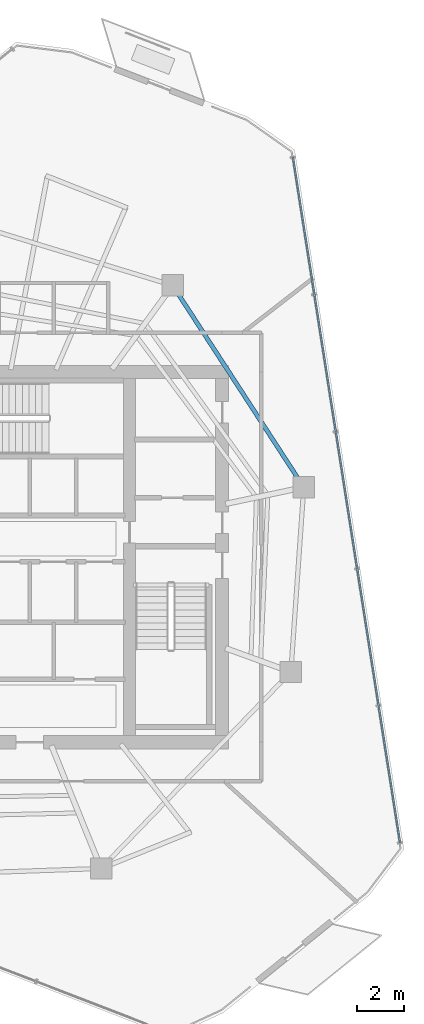
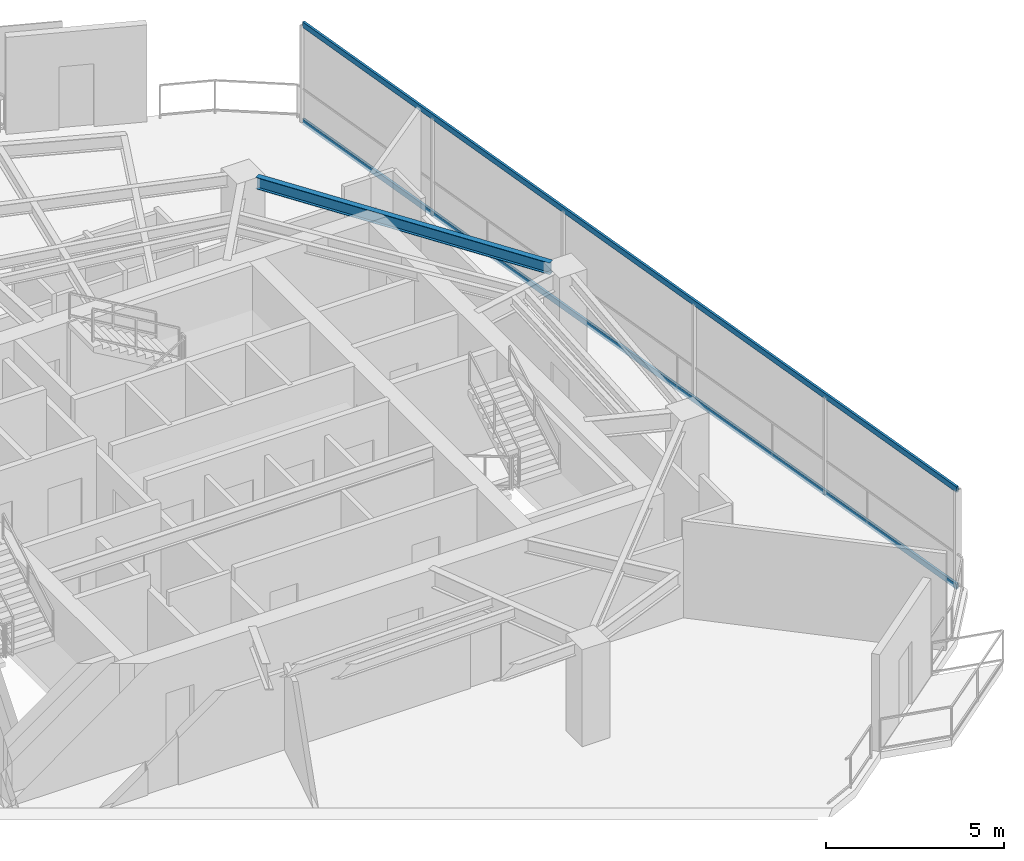
# One storey, part 10 of 19: 2 members, 1 beam, 1 element without a shape of its own.
"""IFC4 building model written with IfcOpenShell, lengths in metres."""

import ifcopenshell
import ifcopenshell.guid

model = None  # the IFC model being written
_history = None  # IfcOwnerHistory: only IFC2X3 demands one
_inside = {}  # id of a spatial element -> (the spatial element, [elements in it])
_under = {}  # id of a project, library or spatial element -> (it, [spatial elements below it])
_declared = {}  # id of a project -> (the project, [libraries it declares])
_typed = {}  # id of a type object -> (the type object, [elements of that type])
_made_of = {}  # id of a material, layer set ... -> (it, [elements and type objects made of it])


def new_model(schema):
    """Start an empty IFC model of exactly this schema.

    Asked for "IFC4X3", IfcOpenShell would pick the latest addendum, in which some entities
    have other attributes; the version numbers below select the first issue.
    IFC2X3 requires an IfcOwnerHistory on every rooted entity: one is made here for all.
    """
    global model, _history
    if schema == "IFC4X3":
        model = ifcopenshell.file(schema_version=(4, 3, 0, 0))
    else:
        model = ifcopenshell.file(schema=schema)
    _inside.clear()
    _under.clear()
    _declared.clear()
    _typed.clear()
    _made_of.clear()
    _history = None
    if model.schema == "IFC2X3":
        org = make("IfcOrganization", Name="unknown")
        user = make(
            "IfcPersonAndOrganization",
            ThePerson=make("IfcPerson", FamilyName="unknown"),
            TheOrganization=org,
        )
        app = make(
            "IfcApplication",
            ApplicationDeveloper=org,
            Version="unknown",
            ApplicationFullName="unknown",
            ApplicationIdentifier="unknown",
        )
        _history = make(
            "IfcOwnerHistory",
            OwningUser=user,
            OwningApplication=app,
            ChangeAction="ADDED",
            CreationDate=0,
        )
    return model


def make(cls, **values):
    """One entity of the class cls with the attributes given. An attribute that is None is left unset."""
    return model.create_entity(
        cls, **{name: value for name, value in values.items() if value is not None}
    )


def rooted(cls, **values):
    """An entity with a GlobalId (a new one), such as an element, a storey or a relation."""
    return make(cls, GlobalId=ifcopenshell.guid.new(), OwnerHistory=_history, **values)


def si_unit(unit_type, name, prefix=None):
    """IfcSIUnit, for example si_unit("LENGTHUNIT", "METRE", prefix="MILLI")."""
    return make("IfcSIUnit", UnitType=unit_type, Prefix=prefix, Name=name)


def assignment(units):
    """IfcUnitAssignment: the units of a project."""
    return None if units is None else make("IfcUnitAssignment", Units=units)


def point(xyz):
    """IfcCartesianPoint."""
    return None if xyz is None else make("IfcCartesianPoint", Coordinates=xyz)


def direction(xyz):
    """IfcDirection."""
    return None if xyz is None else make("IfcDirection", DirectionRatios=xyz)


def frame(location, z_axis=None, x_axis=None):
    """IfcAxis2Placement3D, a coordinate frame: its origin and axes. An axis left out is left unset."""
    return make(
        "IfcAxis2Placement3D",
        Location=point(location),
        Axis=direction(z_axis),
        RefDirection=direction(x_axis),
    )


def frame_2d(location, x_axis=None):
    """IfcAxis2Placement2D, a coordinate frame in the plane: its origin and x axis."""
    return make(
        "IfcAxis2Placement2D", Location=point(location), RefDirection=direction(x_axis)
    )


def origin():
    """The frame at (0, 0, 0) with its axes left unset."""
    return frame((0.0, 0.0, 0.0))


def origin_2d():
    """The frame at (0, 0) in the plane with its x axis left unset."""
    return frame_2d((0.0, 0.0))


def place(relative_to, where):
    """IfcLocalPlacement: puts the frame where relative to a parent placement (None: the world)."""
    return make(
        "IfcLocalPlacement", PlacementRelTo=relative_to, RelativePlacement=where
    )


def context(
    kind, dimensions, precision=None, world=None, true_north=None, identifier=None
):
    """IfcGeometricRepresentationContext, for example the 3D "Model" context."""
    return make(
        "IfcGeometricRepresentationContext",
        ContextIdentifier=identifier,
        ContextType=kind,
        CoordinateSpaceDimension=dimensions,
        Precision=precision,
        WorldCoordinateSystem=world,
        TrueNorth=true_north,
    )


def subcontext(parent, identifier, kind, view, scale=None):
    """IfcGeometricRepresentationSubContext, for example "Body" below "Model"."""
    return make(
        "IfcGeometricRepresentationSubContext",
        ContextIdentifier=identifier,
        ContextType=kind,
        ParentContext=parent,
        TargetScale=scale,
        TargetView=view,
    )


def project(units=None, contexts=None):
    """IfcProject with its units and contexts."""
    return rooted(
        "IfcProject",
        Name="project",
        RepresentationContexts=contexts,
        UnitsInContext=assignment(units),
    )


def spatial(cls, under=None, at=None, **own):
    """A site, building, storey or space (cls), placed at a placement, below another one or the project."""
    s = rooted(cls, ObjectPlacement=at, **own)
    if under is not None:
        _under.setdefault(under.id(), (under, []))[1].append(s)
    return s


def profile(cls, at=None, kind="AREA", **sizes):
    """A parametric profile (cls). Its sizes go by their IFC names, for example OverallWidth=200.0."""
    return make(cls, ProfileType=kind, Position=at, **sizes)


def hollow_rectangle(**sizes):
    """IfcRectangleHollowProfileDef."""
    return profile("IfcRectangleHollowProfileDef", **sizes)


def i_section(**sizes):
    """IfcIShapeProfileDef."""
    return profile("IfcIShapeProfileDef", **sizes)


def extrude(swept, where, along, depth):
    """IfcExtrudedAreaSolid: the profile swept, set in the frame where, extruded along a direction by depth."""
    return make(
        "IfcExtrudedAreaSolid",
        SweptArea=swept,
        Position=where,
        ExtrudedDirection=direction(along),
        Depth=depth,
    )


def shape(context_of_items, identifier, shape_type, items):
    """IfcShapeRepresentation: the items that make up one representation, for example the "Body"."""
    return make(
        "IfcShapeRepresentation",
        ContextOfItems=context_of_items,
        RepresentationIdentifier=identifier,
        RepresentationType=shape_type,
        Items=items,
    )


def material(Name=None, Category=None):
    """IfcMaterial."""
    return make("IfcMaterial", Name=Name, Category=Category)


def layer(
    of_material, thickness, ventilated=None, Name=None, Category=None, Priority=None
):
    """IfcMaterialLayer: one layer of a wall or slab, of a material (None: an air gap)."""
    return make(
        "IfcMaterialLayer",
        Material=of_material,
        LayerThickness=thickness,
        IsVentilated=ventilated,
        Name=Name,
        Category=Category,
        Priority=Priority,
    )


def layer_set(layers, Name=None):
    """IfcMaterialLayerSet."""
    return make("IfcMaterialLayerSet", MaterialLayers=layers, LayerSetName=Name)


def material_profile(
    of_material, cross_section, Name=None, Category=None, Priority=None
):
    """IfcMaterialProfile: a cross section and its material."""
    return make(
        "IfcMaterialProfile",
        Name=Name,
        Material=of_material,
        Profile=cross_section,
        Priority=Priority,
        Category=Category,
    )


def profile_set(profiles, Name=None, composite=None):
    """IfcMaterialProfileSet."""
    return make(
        "IfcMaterialProfileSet",
        Name=Name,
        MaterialProfiles=profiles,
        CompositeProfile=composite,
    )


def made_of(thing, what):
    """Note that an element or type object is made of a material, layer set ...; save() writes the relation."""
    if what is not None:
        _made_of.setdefault(what.id(), (what, []))[1].append(thing)
    return thing


def type_object(cls, material=None, **own):
    """A type object (cls), such as IfcWallType, which elements share."""
    return made_of(rooted(cls, **own), material)


def element(
    cls,
    number,
    at=None,
    inside=None,
    cuts=None,
    type_object=None,
    material=None,
    context=None,
    identifier="Body",
    shape_type=None,
    held_by="IfcProductDefinitionShape",
    body=None,
    shapes=None,
    **own,
):
    """One element of the class cls, such as IfcWall. Its Tag is "e" and its number.

    at: its placement. inside: the storey or other place that contains it. cuts: it is an
    opening in that element (IfcRelVoidsElement). A single representation is given by context,
    identifier, shape_type and body (its items); several are given by shapes. held_by: the class
    of the entity that holds the representations. save() writes the other relations.
    """
    e = rooted(cls, Tag="e%d" % number, ObjectPlacement=at, **own)
    if body is not None:
        shapes = [shape(context, identifier, shape_type, body)]
    if shapes is not None:
        e.Representation = make(held_by, Representations=shapes)
    if inside is not None:
        _inside.setdefault(inside.id(), (inside, []))[1].append(e)
    if cuts is not None:
        rooted(
            "IfcRelVoidsElement", RelatingBuildingElement=cuts, RelatedOpeningElement=e
        )
    if type_object is not None:
        _typed.setdefault(type_object.id(), (type_object, []))[1].append(e)
    return made_of(e, material)


def aggregate(whole, parts):
    """IfcRelAggregates: a whole, such as a stair, and the parts it consists of."""
    return rooted("IfcRelAggregates", RelatingObject=whole, RelatedObjects=parts)


def save(model, path):
    """Write the relations noted so far, then the file.

    IfcRelAggregates (storeys below a building ...), IfcRelContainedInSpatialStructure (elements
    in a storey), IfcRelDefinesByType, IfcRelAssociatesMaterial and IfcRelDeclares: one each for
    every whole, place, type object, material and project.
    """
    for whole, parts in _under.values():
        aggregate(whole, parts)
    for where, things in _inside.values():
        rooted(
            "IfcRelContainedInSpatialStructure",
            RelatedElements=things,
            RelatingStructure=where,
        )
    for kind, things in _typed.values():
        rooted("IfcRelDefinesByType", RelatedObjects=things, RelatingType=kind)
    for what, things in _made_of.values():
        rooted("IfcRelAssociatesMaterial", RelatedObjects=things, RelatingMaterial=what)
    for by, libraries in _declared.values():
        rooted("IfcRelDeclares", RelatingContext=by, RelatedDefinitions=libraries)
    model.write(path)


model = new_model("IFC4")

# Units and contexts
model_context = context("Model", 3, precision=1e-05, world=origin(), true_north=direction((0.0, 1.0)))
body_context = subcontext(model_context, "Body", "Model", "MODEL_VIEW")
ifc_project = project(units=[si_unit("LENGTHUNIT", "METRE"), si_unit("AREAUNIT", "SQUARE_METRE"), si_unit("VOLUMEUNIT", "CUBIC_METRE"), si_unit("PLANEANGLEUNIT", "RADIAN"), si_unit("MASSUNIT", "GRAM", prefix="KILO")], contexts=[model_context])

# Site, building, storey
site_placement = place(None, origin())
site = spatial("IfcSite", under=ifc_project, at=site_placement, CompositionType="ELEMENT")
building_placement = place(site_placement, origin())
building = spatial("IfcBuilding", under=site, at=building_placement, Name="Qarnah Convention Tower", CompositionType="ELEMENT")
storey_placement = place(building_placement, frame((0.0, 0.0, 213.0)))
storey = spatial("IfcBuildingStorey", under=building, at=storey_placement, Name="L57", CompositionType="ELEMENT", Elevation=213.0)

# Beam
ifc_material_1 = material(Name="Structural steel S355JR", Category="steel")
ifc_material_profile_1 = material_profile(ifc_material_1, i_section(OverallWidth=0.179931640625, OverallDepth=0.39990234375, WebThickness=0.009033203125, FlangeThickness=0.013916015625, at=origin_2d()), Name="IPE400")
ifc_profile_set_1 = profile_set([ifc_material_profile_1], Name="Structural steel S355JR")
beam_type = type_object("IfcBeamType", Name="BM-SPN-IPE400", PredefinedType="SPANDREL", material=ifc_profile_set_1)
beam_placement = place(storey_placement, frame((50.801025390625, 29.7109375, 3.1201171875), z_axis=(-0.544586178954, 0.838704890705, 0.0), x_axis=(-0.838704890705, -0.544586178954, 0.0)))
element("IfcBeam", 1, at=beam_placement, inside=storey, type_object=beam_type, Name="L57 spandrel BM-L57-SPN-01", PredefinedType="SPANDREL", context=body_context, shape_type="SweptSolid", body=[
    extrude(i_section(OverallWidth=0.179931640625, OverallDepth=0.39990234375, WebThickness=0.009033203125, FlangeThickness=0.013916015625, at=origin_2d()), origin(), (0.0, 0.0, 1.0), 9.261962890625),
])

# Curtain wall, members
ifc_material_2 = material(Name="Tempered Low-E dark glass", Category="glass")
ifc_layer = layer(ifc_material_2, 0.174072265625)
ifc_layer_set = layer_set([ifc_layer], Name="Tempered Low-E dark glass")
curtain_wall_type = type_object("IfcCurtainWallType", Name="CWS-04", PredefinedType="NOTDEFINED", material=ifc_layer_set)
curtain_wall_placement = place(storey_placement, origin())
curtain_wall = element("IfcCurtainWall", 2, at=curtain_wall_placement, inside=storey, type_object=curtain_wall_type, Name="L57 unitised curtain wall CW-L57-F2", PredefinedType="NOTDEFINED")
ifc_material_3 = material(Name="Black anodised aluminium", Category="aluminium")
ifc_material_profile_2 = material_profile(ifc_material_3, hollow_rectangle(XDim=0.074951171875, YDim=0.18994140625, WallThickness=0.0048828125, at=origin_2d()), Name="TRN-75X190")
ifc_profile_set_2 = profile_set([ifc_material_profile_2], Name="Black anodised aluminium")
member_type = type_object("IfcMemberType", Name="TRN-T4", PredefinedType="USERDEFINED", material=ifc_profile_set_2)
member_1_placement = place(storey_placement, frame((50.5869140625, 43.24609375, 0.0), z_axis=(0.154366433971, -0.988013665929, 0.0), x_axis=(0.988013665929, 0.154366433971, 0.0)))
member_1 = element("IfcMember", 3, at=member_1_placement, type_object=member_type, Name="CW-L57-F2 transom 1", ObjectType="TRANSOM", PredefinedType="USERDEFINED", context=body_context, shape_type="SweptSolid", body=[
    extrude(hollow_rectangle(XDim=0.074951171875, YDim=0.18994140625, WallThickness=0.0048828125, at=origin_2d()), origin(), (0.0, 0.0, 1.0), 29.23046875),
])
member_2_placement = place(storey_placement, frame((50.5869140625, 43.24609375, 3.320068359375), z_axis=(0.154366433971, -0.988013665929, 0.0), x_axis=(0.988013665929, 0.154366433971, 0.0)))
member_2 = element("IfcMember", 4, at=member_2_placement, type_object=member_type, Name="CW-L57-F2 transom 2", ObjectType="TRANSOM", PredefinedType="USERDEFINED", context=body_context, shape_type="SweptSolid", body=[
    extrude(hollow_rectangle(XDim=0.074951171875, YDim=0.18994140625, WallThickness=0.0048828125, at=origin_2d()), origin(), (0.0, 0.0, 1.0), 29.23046875),
])
aggregate(curtain_wall, [member_1, member_2])

save(model, "model.ifc")
